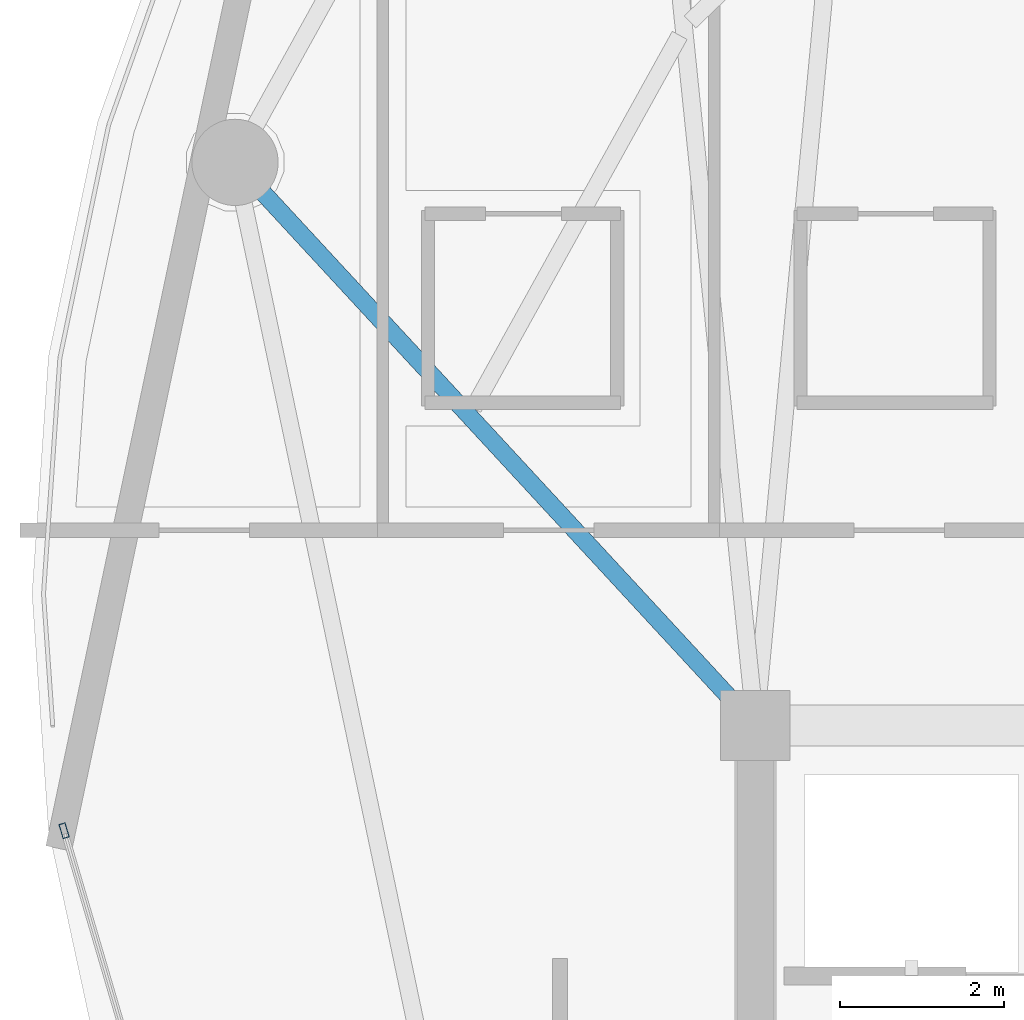
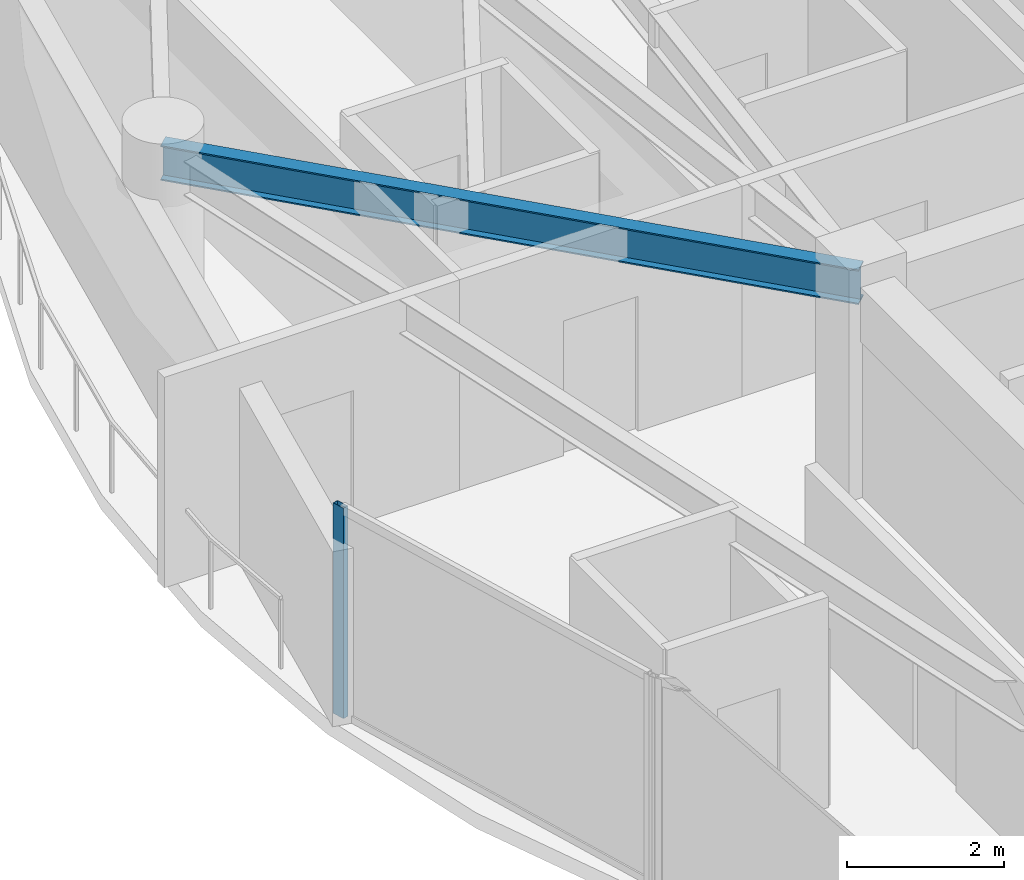
# One storey, part 7 of 29: 1 beam, 1 member, 1 element without a shape of its own.
"""IFC4 building model written with IfcOpenShell, lengths in metres."""

import ifcopenshell
import ifcopenshell.guid

model = None  # the IFC model being written
_history = None  # IfcOwnerHistory: only IFC2X3 demands one
_inside = {}  # id of a spatial element -> (the spatial element, [elements in it])
_under = {}  # id of a project, library or spatial element -> (it, [spatial elements below it])
_declared = {}  # id of a project -> (the project, [libraries it declares])
_typed = {}  # id of a type object -> (the type object, [elements of that type])
_made_of = {}  # id of a material, layer set ... -> (it, [elements and type objects made of it])


def new_model(schema):
    """Start an empty IFC model of exactly this schema.

    Asked for "IFC4X3", IfcOpenShell would pick the latest addendum, in which some entities
    have other attributes; the version numbers below select the first issue.
    IFC2X3 requires an IfcOwnerHistory on every rooted entity: one is made here for all.
    """
    global model, _history
    if schema == "IFC4X3":
        model = ifcopenshell.file(schema_version=(4, 3, 0, 0))
    else:
        model = ifcopenshell.file(schema=schema)
    _inside.clear()
    _under.clear()
    _declared.clear()
    _typed.clear()
    _made_of.clear()
    _history = None
    if model.schema == "IFC2X3":
        org = make("IfcOrganization", Name="unknown")
        user = make(
            "IfcPersonAndOrganization",
            ThePerson=make("IfcPerson", FamilyName="unknown"),
            TheOrganization=org,
        )
        app = make(
            "IfcApplication",
            ApplicationDeveloper=org,
            Version="unknown",
            ApplicationFullName="unknown",
            ApplicationIdentifier="unknown",
        )
        _history = make(
            "IfcOwnerHistory",
            OwningUser=user,
            OwningApplication=app,
            ChangeAction="ADDED",
            CreationDate=0,
        )
    return model


def make(cls, **values):
    """One entity of the class cls with the attributes given. An attribute that is None is left unset."""
    return model.create_entity(
        cls, **{name: value for name, value in values.items() if value is not None}
    )


def rooted(cls, **values):
    """An entity with a GlobalId (a new one), such as an element, a storey or a relation."""
    return make(cls, GlobalId=ifcopenshell.guid.new(), OwnerHistory=_history, **values)


def si_unit(unit_type, name, prefix=None):
    """IfcSIUnit, for example si_unit("LENGTHUNIT", "METRE", prefix="MILLI")."""
    return make("IfcSIUnit", UnitType=unit_type, Prefix=prefix, Name=name)


def assignment(units):
    """IfcUnitAssignment: the units of a project."""
    return None if units is None else make("IfcUnitAssignment", Units=units)


def point(xyz):
    """IfcCartesianPoint."""
    return None if xyz is None else make("IfcCartesianPoint", Coordinates=xyz)


def direction(xyz):
    """IfcDirection."""
    return None if xyz is None else make("IfcDirection", DirectionRatios=xyz)


def frame(location, z_axis=None, x_axis=None):
    """IfcAxis2Placement3D, a coordinate frame: its origin and axes. An axis left out is left unset."""
    return make(
        "IfcAxis2Placement3D",
        Location=point(location),
        Axis=direction(z_axis),
        RefDirection=direction(x_axis),
    )


def frame_2d(location, x_axis=None):
    """IfcAxis2Placement2D, a coordinate frame in the plane: its origin and x axis."""
    return make(
        "IfcAxis2Placement2D", Location=point(location), RefDirection=direction(x_axis)
    )


def origin():
    """The frame at (0, 0, 0) with its axes left unset."""
    return frame((0.0, 0.0, 0.0))


def origin_2d():
    """The frame at (0, 0) in the plane with its x axis left unset."""
    return frame_2d((0.0, 0.0))


def place(relative_to, where):
    """IfcLocalPlacement: puts the frame where relative to a parent placement (None: the world)."""
    return make(
        "IfcLocalPlacement", PlacementRelTo=relative_to, RelativePlacement=where
    )


def context(
    kind, dimensions, precision=None, world=None, true_north=None, identifier=None
):
    """IfcGeometricRepresentationContext, for example the 3D "Model" context."""
    return make(
        "IfcGeometricRepresentationContext",
        ContextIdentifier=identifier,
        ContextType=kind,
        CoordinateSpaceDimension=dimensions,
        Precision=precision,
        WorldCoordinateSystem=world,
        TrueNorth=true_north,
    )


def subcontext(parent, identifier, kind, view, scale=None):
    """IfcGeometricRepresentationSubContext, for example "Body" below "Model"."""
    return make(
        "IfcGeometricRepresentationSubContext",
        ContextIdentifier=identifier,
        ContextType=kind,
        ParentContext=parent,
        TargetScale=scale,
        TargetView=view,
    )


def project(units=None, contexts=None):
    """IfcProject with its units and contexts."""
    return rooted(
        "IfcProject",
        Name="project",
        RepresentationContexts=contexts,
        UnitsInContext=assignment(units),
    )


def spatial(cls, under=None, at=None, **own):
    """A site, building, storey or space (cls), placed at a placement, below another one or the project."""
    s = rooted(cls, ObjectPlacement=at, **own)
    if under is not None:
        _under.setdefault(under.id(), (under, []))[1].append(s)
    return s


def profile(cls, at=None, kind="AREA", **sizes):
    """A parametric profile (cls). Its sizes go by their IFC names, for example OverallWidth=200.0."""
    return make(cls, ProfileType=kind, Position=at, **sizes)


def hollow_rectangle(**sizes):
    """IfcRectangleHollowProfileDef."""
    return profile("IfcRectangleHollowProfileDef", **sizes)


def i_section(**sizes):
    """IfcIShapeProfileDef."""
    return profile("IfcIShapeProfileDef", **sizes)


def extrude(swept, where, along, depth):
    """IfcExtrudedAreaSolid: the profile swept, set in the frame where, extruded along a direction by depth."""
    return make(
        "IfcExtrudedAreaSolid",
        SweptArea=swept,
        Position=where,
        ExtrudedDirection=direction(along),
        Depth=depth,
    )


def shape(context_of_items, identifier, shape_type, items):
    """IfcShapeRepresentation: the items that make up one representation, for example the "Body"."""
    return make(
        "IfcShapeRepresentation",
        ContextOfItems=context_of_items,
        RepresentationIdentifier=identifier,
        RepresentationType=shape_type,
        Items=items,
    )


def material(Name=None, Category=None):
    """IfcMaterial."""
    return make("IfcMaterial", Name=Name, Category=Category)


def layer(
    of_material, thickness, ventilated=None, Name=None, Category=None, Priority=None
):
    """IfcMaterialLayer: one layer of a wall or slab, of a material (None: an air gap)."""
    return make(
        "IfcMaterialLayer",
        Material=of_material,
        LayerThickness=thickness,
        IsVentilated=ventilated,
        Name=Name,
        Category=Category,
        Priority=Priority,
    )


def layer_set(layers, Name=None):
    """IfcMaterialLayerSet."""
    return make("IfcMaterialLayerSet", MaterialLayers=layers, LayerSetName=Name)


def material_profile(
    of_material, cross_section, Name=None, Category=None, Priority=None
):
    """IfcMaterialProfile: a cross section and its material."""
    return make(
        "IfcMaterialProfile",
        Name=Name,
        Material=of_material,
        Profile=cross_section,
        Priority=Priority,
        Category=Category,
    )


def profile_set(profiles, Name=None, composite=None):
    """IfcMaterialProfileSet."""
    return make(
        "IfcMaterialProfileSet",
        Name=Name,
        MaterialProfiles=profiles,
        CompositeProfile=composite,
    )


def made_of(thing, what):
    """Note that an element or type object is made of a material, layer set ...; save() writes the relation."""
    if what is not None:
        _made_of.setdefault(what.id(), (what, []))[1].append(thing)
    return thing


def type_object(cls, material=None, **own):
    """A type object (cls), such as IfcWallType, which elements share."""
    return made_of(rooted(cls, **own), material)


def element(
    cls,
    number,
    at=None,
    inside=None,
    cuts=None,
    type_object=None,
    material=None,
    context=None,
    identifier="Body",
    shape_type=None,
    held_by="IfcProductDefinitionShape",
    body=None,
    shapes=None,
    **own,
):
    """One element of the class cls, such as IfcWall. Its Tag is "e" and its number.

    at: its placement. inside: the storey or other place that contains it. cuts: it is an
    opening in that element (IfcRelVoidsElement). A single representation is given by context,
    identifier, shape_type and body (its items); several are given by shapes. held_by: the class
    of the entity that holds the representations. save() writes the other relations.
    """
    e = rooted(cls, Tag="e%d" % number, ObjectPlacement=at, **own)
    if body is not None:
        shapes = [shape(context, identifier, shape_type, body)]
    if shapes is not None:
        e.Representation = make(held_by, Representations=shapes)
    if inside is not None:
        _inside.setdefault(inside.id(), (inside, []))[1].append(e)
    if cuts is not None:
        rooted(
            "IfcRelVoidsElement", RelatingBuildingElement=cuts, RelatedOpeningElement=e
        )
    if type_object is not None:
        _typed.setdefault(type_object.id(), (type_object, []))[1].append(e)
    return made_of(e, material)


def aggregate(whole, parts):
    """IfcRelAggregates: a whole, such as a stair, and the parts it consists of."""
    return rooted("IfcRelAggregates", RelatingObject=whole, RelatedObjects=parts)


def save(model, path):
    """Write the relations noted so far, then the file.

    IfcRelAggregates (storeys below a building ...), IfcRelContainedInSpatialStructure (elements
    in a storey), IfcRelDefinesByType, IfcRelAssociatesMaterial and IfcRelDeclares: one each for
    every whole, place, type object, material and project.
    """
    for whole, parts in _under.values():
        aggregate(whole, parts)
    for where, things in _inside.values():
        rooted(
            "IfcRelContainedInSpatialStructure",
            RelatedElements=things,
            RelatingStructure=where,
        )
    for kind, things in _typed.values():
        rooted("IfcRelDefinesByType", RelatedObjects=things, RelatingType=kind)
    for what, things in _made_of.values():
        rooted("IfcRelAssociatesMaterial", RelatedObjects=things, RelatingMaterial=what)
    for by, libraries in _declared.values():
        rooted("IfcRelDeclares", RelatingContext=by, RelatedDefinitions=libraries)
    model.write(path)


model = new_model("IFC4")

# Units and contexts
model_context = context("Model", 3, precision=1e-05, world=origin(), true_north=direction((0.0, 1.0)))
body_context = subcontext(model_context, "Body", "Model", "MODEL_VIEW")
ifc_project = project(units=[si_unit("LENGTHUNIT", "METRE"), si_unit("AREAUNIT", "SQUARE_METRE"), si_unit("VOLUMEUNIT", "CUBIC_METRE"), si_unit("PLANEANGLEUNIT", "RADIAN"), si_unit("MASSUNIT", "GRAM", prefix="KILO")], contexts=[model_context])

# Site, building, storey
site_placement = place(None, origin())
site = spatial("IfcSite", under=ifc_project, at=site_placement, CompositionType="ELEMENT")
building_placement = place(site_placement, origin())
building = spatial("IfcBuilding", under=site, at=building_placement, Name="Kazevale Care Tower and Concert Hall", CompositionType="ELEMENT")
storey_placement = place(building_placement, frame((0.0, 0.0, 249.60009765625)))
storey = spatial("IfcBuildingStorey", under=building, at=storey_placement, Name="L66", CompositionType="ELEMENT", Elevation=249.60009765625)

# Curtain wall, member
ifc_material_1 = material(Name="Aluminium 6063-T6 and Low-E Glass", Category="aluminium")
ifc_layer = layer(ifc_material_1, 0.179931640625)
ifc_layer_set = layer_set([ifc_layer], Name="Aluminium 6063-T6 and Low-E Glass")
curtain_wall_type = type_object("IfcCurtainWallType", Name="Waist & Upper Residential Curtain Wall CW-4", PredefinedType="NOTDEFINED", material=ifc_layer_set)
curtain_wall_placement = place(storey_placement, origin())
curtain_wall = element("IfcCurtainWall", 1, at=curtain_wall_placement, inside=storey, type_object=curtain_wall_type, Name="cw:L66:f12", PredefinedType="NOTDEFINED")
ifc_material_2 = material(Name="Aluminium 6063-T6", Category="aluminium")
ifc_material_profile_1 = material_profile(ifc_material_2, hollow_rectangle(XDim=0.080078125, YDim=0.179931640625, WallThickness=0.0048828125, at=origin_2d()), Name="ALU80x180x5")
ifc_profile_set_1 = profile_set([ifc_material_profile_1], Name="Aluminium 6063-T6")
member_type = type_object("IfcMemberType", Name="CW-4 Mullion ALU80x180x5", PredefinedType="MULLION", material=ifc_profile_set_1)
member_placement = place(storey_placement, frame((13.59033203125, 35.11865234375, 0.0), z_axis=(0.0, 0.0, 1.0), x_axis=(-0.959385539982, -0.282098184457, 0.0)))
member = element("IfcMember", 2, at=member_placement, type_object=member_type, Name="CW-4 mullion 2", PredefinedType="MULLION", context=body_context, shape_type="SweptSolid", body=[
    extrude(hollow_rectangle(XDim=0.080078125, YDim=0.179931640625, WallThickness=0.0048828125, at=origin_2d()), origin(), (0.0, 0.0, 1.0), 3.27978515625),
])
aggregate(curtain_wall, [member])

# Beam
ifc_material_3 = material(Name="Steel ASTM A572 Gr 50", Category="steel")
ifc_material_profile_2 = material_profile(ifc_material_3, i_section(OverallWidth=0.2119140625, OverallDepth=0.5439453125, WebThickness=0.01318359375, FlangeThickness=0.021240234375, at=origin_2d()), Name="W530x123")
ifc_profile_set_2 = profile_set([ifc_material_profile_2], Name="Steel ASTM A572 Gr 50")
beam_type = type_object("IfcBeamType", Name="Radial Floor Girder W530x123", PredefinedType="BEAM", material=ifc_profile_set_2)
beam_placement = place(storey_placement, frame((22.0, 36.39990234375, 3.0078125), z_axis=(-0.678680078581, 0.734434034435, 0.0), x_axis=(-0.734434034435, -0.678680078581, 0.0)))
element("IfcBeam", 3, at=beam_placement, inside=storey, type_object=beam_type, Name="beam:L66:rad:09", PredefinedType="BEAM", context=body_context, shape_type="SweptSolid", body=[
    extrude(i_section(OverallWidth=0.2119140625, OverallDepth=0.5439453125, WebThickness=0.01318359375, FlangeThickness=0.021240234375, at=origin_2d()), origin(), (0.0, 0.0, 1.0), 9.3271484375),
])

save(model, "model.ifc")
